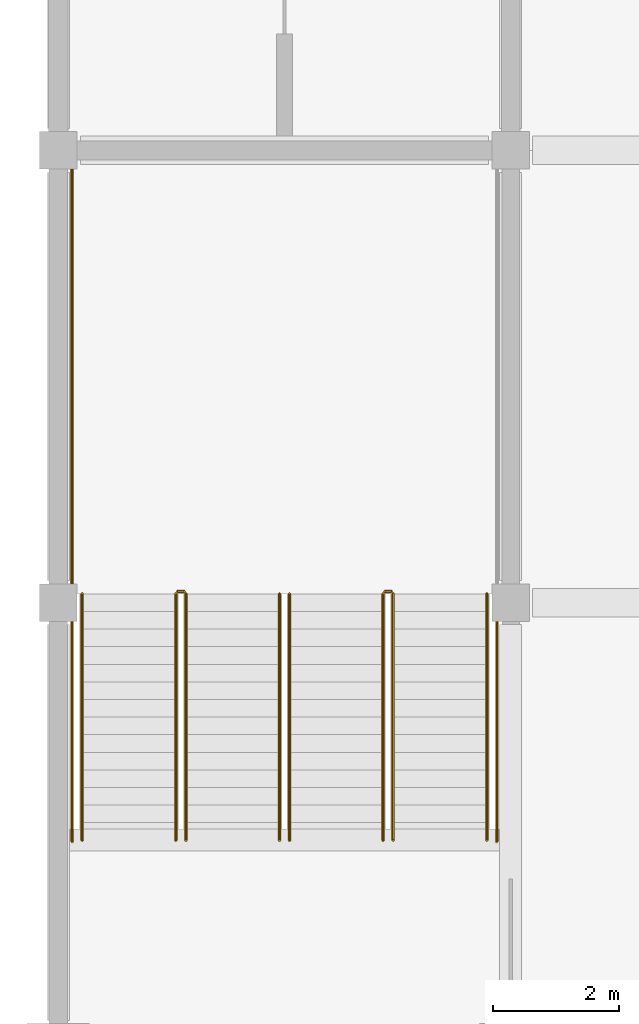
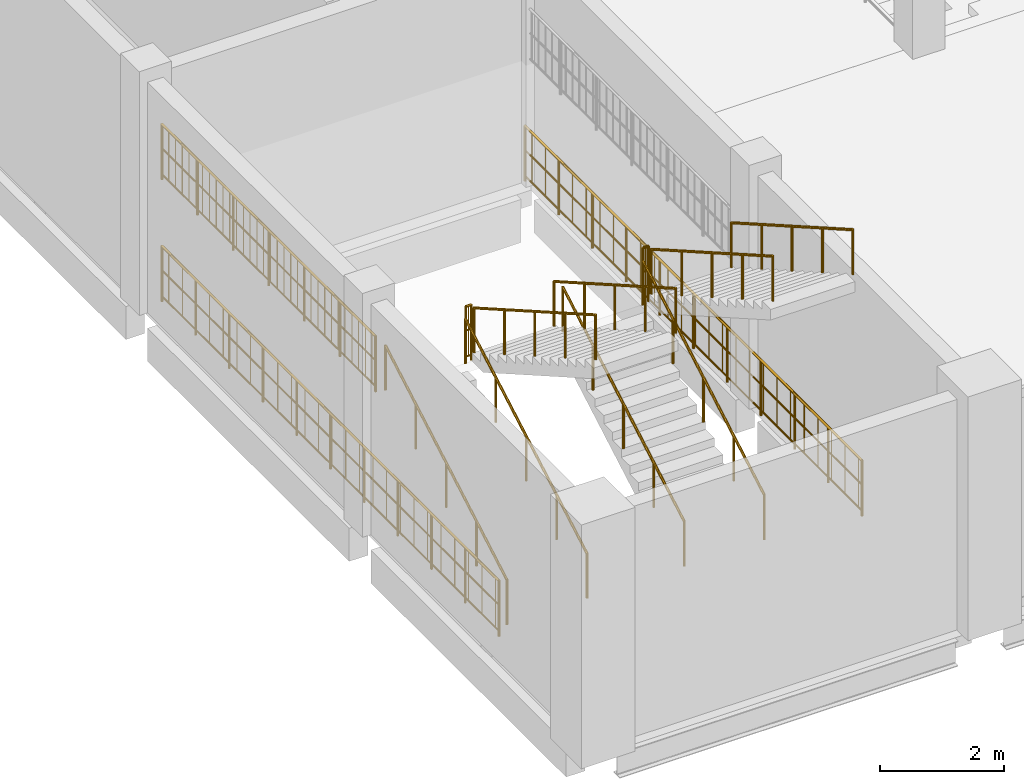
# One storey, part 79 of 99: 13 railings.
"""IFC4 building model written with IfcOpenShell, lengths in metres."""

from ifc_helpers import new_model, si_unit, direction, frame, origin, origin_2d, place, context, subcontext, project, spatial, circle, extrude, material, type_object, element, save


model = new_model("IFC4")

# Units and contexts
model_context = context("Model", 3, precision=1e-05, world=origin(), true_north=direction((0.0, 1.0)))
body_context = subcontext(model_context, "Body", "Model", "MODEL_VIEW")
ifc_project = project(units=[si_unit("LENGTHUNIT", "METRE"), si_unit("AREAUNIT", "SQUARE_METRE"), si_unit("VOLUMEUNIT", "CUBIC_METRE"), si_unit("PLANEANGLEUNIT", "RADIAN"), si_unit("MASSUNIT", "GRAM", prefix="KILO")], contexts=[model_context])

# Site, building, storey
site_placement = place(None, origin())
site = spatial("IfcSite", under=ifc_project, at=site_placement, CompositionType="ELEMENT")
building_placement = place(site_placement, origin())
building = spatial("IfcBuilding", under=site, at=building_placement, Name="Vesperath Aquatics Centre", CompositionType="ELEMENT")
storey_placement = place(building_placement, frame((0.0, 0.0, 5.39990234375)))
storey = spatial("IfcBuildingStorey", under=building, at=storey_placement, Name="L01", CompositionType="ELEMENT", Elevation=5.39990234375)

# Railings
ifc_material_1 = material(Name="Powder-coated galvanized steel safety guard", Category="steel")
railing_type_1 = type_object("IfcRailingType", Name="RL-GRD01", PredefinedType="GUARDRAIL", material=ifc_material_1)
railing_1_placement = place(storey_placement, frame((1.89990234375, 21.780029296875, 2.400146484375)))
element("IfcRailing", 1, at=railing_1_placement, inside=storey, type_object=railing_type_1, Name="Stair ST10A Half-Landing Slot Guard GR02 L01", PredefinedType="GUARDRAIL", context=body_context, shape_type="SweptSolid", body=[
    extrude(circle(Radius=0.02392578125, at=origin_2d()), frame((0.0, 0.0, 1.0859375), z_axis=(1.0, 0.0, 0.0), x_axis=(0.0, 1.0, 0.0)), (0.0, 0.0, 1.0), 0.10009765625),
    extrude(circle(Radius=0.01611328125, at=origin_2d()), frame((0.0, 0.0, 0.10009765625), z_axis=(1.0, 0.0, 0.0), x_axis=(0.0, 1.0, 0.0)), (0.0, 0.0, 1.0), 0.10009765625),
    extrude(circle(Radius=0.01611328125, at=origin_2d()), frame((0.0, 0.0, 0.610595703125), z_axis=(1.0, 0.0, 0.0), x_axis=(0.0, 1.0, 0.0)), (0.0, 0.0, 1.0), 0.10009765625),
    extrude(circle(Radius=0.009033203125, at=origin_2d()), frame((0.050048828125, 0.0, 0.10009765625)), (0.0, 0.0, 1.0), 0.9619140625),
    extrude(circle(Radius=0.02197265625, at=origin_2d()), origin(), (0.0, 0.0, 1.0), 1.0859375),
    extrude(circle(Radius=0.02197265625, at=origin_2d()), frame((0.10009765625, 0.0, 0.0)), (0.0, 0.0, 1.0), 1.0859375),
])
railing_2_placement = place(storey_placement, frame((0.219970703125, 21.780029296875, 2.400146484375)))
element("IfcRailing", 2, at=railing_2_placement, inside=storey, type_object=railing_type_1, Name="Stair ST10A Half-Landing Wall Guard GR02 L01", PredefinedType="GUARDRAIL", context=body_context, shape_type="SweptSolid", body=[
    extrude(circle(Radius=0.02392578125, at=origin_2d()), frame((0.0, 0.0, 1.0859375), z_axis=(0.0, 1.0, 0.0), x_axis=(-1.0, 0.0, 0.0)), (0.0, 0.0, 1.0), 6.889892578125),
    extrude(circle(Radius=0.01611328125, at=origin_2d()), frame((0.0, 0.0, 0.10009765625), z_axis=(0.0, 1.0, 0.0), x_axis=(-1.0, 0.0, 0.0)), (0.0, 0.0, 1.0), 6.889892578125),
    extrude(circle(Radius=0.01611328125, at=origin_2d()), frame((0.0, 0.0, 0.610595703125), z_axis=(0.0, 1.0, 0.0), x_axis=(-1.0, 0.0, 0.0)), (0.0, 0.0, 1.0), 6.889892578125),
    extrude(circle(Radius=0.009033203125, at=origin_2d()), frame((0.0, 0.109375, 0.10009765625)), (0.0, 0.0, 1.0), 0.9619140625),
    extrude(circle(Radius=0.009033203125, at=origin_2d()), frame((0.0, 0.328125, 0.10009765625)), (0.0, 0.0, 1.0), 0.9619140625),
    extrude(circle(Radius=0.009033203125, at=origin_2d()), frame((0.0, 0.546875, 0.10009765625)), (0.0, 0.0, 1.0), 0.9619140625),
    extrude(circle(Radius=0.009033203125, at=origin_2d()), frame((0.0, 0.765625, 0.10009765625)), (0.0, 0.0, 1.0), 0.9619140625),
    extrude(circle(Radius=0.009033203125, at=origin_2d()), frame((0.0, 0.984375, 0.10009765625)), (0.0, 0.0, 1.0), 0.9619140625),
    extrude(circle(Radius=0.009033203125, at=origin_2d()), frame((0.0, 1.202880859375, 0.10009765625)), (0.0, 0.0, 1.0), 0.9619140625),
    extrude(circle(Radius=0.009033203125, at=origin_2d()), frame((0.0, 1.421630859375, 0.10009765625)), (0.0, 0.0, 1.0), 0.9619140625),
    extrude(circle(Radius=0.009033203125, at=origin_2d()), frame((0.0, 1.640380859375, 0.10009765625)), (0.0, 0.0, 1.0), 0.9619140625),
    extrude(circle(Radius=0.009033203125, at=origin_2d()), frame((0.0, 1.859130859375, 0.10009765625)), (0.0, 0.0, 1.0), 0.9619140625),
    extrude(circle(Radius=0.009033203125, at=origin_2d()), frame((0.0, 2.077880859375, 0.10009765625)), (0.0, 0.0, 1.0), 0.9619140625),
    extrude(circle(Radius=0.009033203125, at=origin_2d()), frame((0.0, 2.296630859375, 0.10009765625)), (0.0, 0.0, 1.0), 0.9619140625),
    extrude(circle(Radius=0.009033203125, at=origin_2d()), frame((0.0, 2.515380859375, 0.10009765625)), (0.0, 0.0, 1.0), 0.9619140625),
    extrude(circle(Radius=0.009033203125, at=origin_2d()), frame((0.0, 2.734130859375, 0.10009765625)), (0.0, 0.0, 1.0), 0.9619140625),
    extrude(circle(Radius=0.009033203125, at=origin_2d()), frame((0.0, 2.952880859375, 0.10009765625)), (0.0, 0.0, 1.0), 0.9619140625),
    extrude(circle(Radius=0.009033203125, at=origin_2d()), frame((0.0, 3.171630859375, 0.10009765625)), (0.0, 0.0, 1.0), 0.9619140625),
    extrude(circle(Radius=0.009033203125, at=origin_2d()), frame((0.0, 3.390380859375, 0.10009765625)), (0.0, 0.0, 1.0), 0.9619140625),
    extrude(circle(Radius=0.009033203125, at=origin_2d()), frame((0.0, 3.60888671875, 0.10009765625)), (0.0, 0.0, 1.0), 0.9619140625),
    extrude(circle(Radius=0.009033203125, at=origin_2d()), frame((0.0, 3.82763671875, 0.10009765625)), (0.0, 0.0, 1.0), 0.9619140625),
    extrude(circle(Radius=0.009033203125, at=origin_2d()), frame((0.0, 4.04638671875, 0.10009765625)), (0.0, 0.0, 1.0), 0.9619140625),
    extrude(circle(Radius=0.009033203125, at=origin_2d()), frame((0.0, 4.26513671875, 0.10009765625)), (0.0, 0.0, 1.0), 0.9619140625),
    extrude(circle(Radius=0.009033203125, at=origin_2d()), frame((0.0, 4.48388671875, 0.10009765625)), (0.0, 0.0, 1.0), 0.9619140625),
    extrude(circle(Radius=0.009033203125, at=origin_2d()), frame((0.0, 4.70263671875, 0.10009765625)), (0.0, 0.0, 1.0), 0.9619140625),
    extrude(circle(Radius=0.009033203125, at=origin_2d()), frame((0.0, 4.92138671875, 0.10009765625)), (0.0, 0.0, 1.0), 0.9619140625),
    extrude(circle(Radius=0.009033203125, at=origin_2d()), frame((0.0, 5.14013671875, 0.10009765625)), (0.0, 0.0, 1.0), 0.9619140625),
    extrude(circle(Radius=0.009033203125, at=origin_2d()), frame((0.0, 5.35888671875, 0.10009765625)), (0.0, 0.0, 1.0), 0.9619140625),
    extrude(circle(Radius=0.009033203125, at=origin_2d()), frame((0.0, 5.57763671875, 0.10009765625)), (0.0, 0.0, 1.0), 0.9619140625),
    extrude(circle(Radius=0.009033203125, at=origin_2d()), frame((0.0, 5.796142578125, 0.10009765625)), (0.0, 0.0, 1.0), 0.9619140625),
    extrude(circle(Radius=0.009033203125, at=origin_2d()), frame((0.0, 6.014892578125, 0.10009765625)), (0.0, 0.0, 1.0), 0.9619140625),
    extrude(circle(Radius=0.009033203125, at=origin_2d()), frame((0.0, 6.233642578125, 0.10009765625)), (0.0, 0.0, 1.0), 0.9619140625),
    extrude(circle(Radius=0.009033203125, at=origin_2d()), frame((0.0, 6.452392578125, 0.10009765625)), (0.0, 0.0, 1.0), 0.9619140625),
    extrude(circle(Radius=0.009033203125, at=origin_2d()), frame((0.0, 6.671142578125, 0.10009765625)), (0.0, 0.0, 1.0), 0.9619140625),
    extrude(circle(Radius=0.02197265625, at=origin_2d()), origin(), (0.0, 0.0, 1.0), 1.0859375),
    extrude(circle(Radius=0.02197265625, at=origin_2d()), frame((0.0, 1.1484375, 0.0)), (0.0, 0.0, 1.0), 1.0859375),
    extrude(circle(Radius=0.02197265625, at=origin_2d()), frame((0.0, 2.296630859375, 0.0)), (0.0, 0.0, 1.0), 1.0859375),
    extrude(circle(Radius=0.02197265625, at=origin_2d()), frame((0.0, 3.44482421875, 0.0)), (0.0, 0.0, 1.0), 1.0859375),
    extrude(circle(Radius=0.02197265625, at=origin_2d()), frame((0.0, 4.59326171875, 0.0)), (0.0, 0.0, 1.0), 1.0859375),
    extrude(circle(Radius=0.02197265625, at=origin_2d()), frame((0.0, 5.74169921875, 0.0)), (0.0, 0.0, 1.0), 1.0859375),
    extrude(circle(Radius=0.02197265625, at=origin_2d()), frame((0.0, 6.889892578125, 0.0)), (0.0, 0.0, 1.0), 1.0859375),
])
railing_3_placement = place(storey_placement, frame((0.219970703125, 17.800048828125, 0.0)))
element("IfcRailing", 3, at=railing_3_placement, inside=storey, type_object=railing_type_1, Name="Stair ST10A Shaft Side Guard GR02 L01", PredefinedType="GUARDRAIL", context=body_context, shape_type="SweptSolid", body=[
    extrude(circle(Radius=0.02392578125, at=origin_2d()), frame((0.0, 0.0, 1.0859375), z_axis=(0.0, 1.0, 0.0), x_axis=(-1.0, 0.0, 0.0)), (0.0, 0.0, 1.0), 10.869873046875),
    extrude(circle(Radius=0.01611328125, at=origin_2d()), frame((0.0, 0.0, 0.10009765625), z_axis=(0.0, 1.0, 0.0), x_axis=(-1.0, 0.0, 0.0)), (0.0, 0.0, 1.0), 10.869873046875),
    extrude(circle(Radius=0.01611328125, at=origin_2d()), frame((0.0, 0.0, 0.610595703125), z_axis=(0.0, 1.0, 0.0), x_axis=(-1.0, 0.0, 0.0)), (0.0, 0.0, 1.0), 10.869873046875),
    extrude(circle(Radius=0.009033203125, at=origin_2d()), frame((0.0, 0.10986328125, 0.10009765625)), (0.0, 0.0, 1.0), 0.9619140625),
    extrude(circle(Radius=0.009033203125, at=origin_2d()), frame((0.0, 0.549072265625, 0.10009765625)), (0.0, 0.0, 1.0), 0.9619140625),
    extrude(circle(Radius=0.009033203125, at=origin_2d()), frame((0.0, 0.98828125, 0.10009765625)), (0.0, 0.0, 1.0), 0.9619140625),
    extrude(circle(Radius=0.009033203125, at=origin_2d()), frame((0.0, 1.42724609375, 0.10009765625)), (0.0, 0.0, 1.0), 0.9619140625),
    extrude(circle(Radius=0.009033203125, at=origin_2d()), frame((0.0, 1.866455078125, 0.10009765625)), (0.0, 0.0, 1.0), 0.9619140625),
    extrude(circle(Radius=0.009033203125, at=origin_2d()), frame((0.0, 2.3056640625, 0.10009765625)), (0.0, 0.0, 1.0), 0.9619140625),
    extrude(circle(Radius=0.009033203125, at=origin_2d()), frame((0.0, 2.744873046875, 0.10009765625)), (0.0, 0.0, 1.0), 0.9619140625),
    extrude(circle(Radius=0.009033203125, at=origin_2d()), frame((0.0, 3.18408203125, 0.10009765625)), (0.0, 0.0, 1.0), 0.9619140625),
    extrude(circle(Radius=0.009033203125, at=origin_2d()), frame((0.0, 3.623291015625, 0.10009765625)), (0.0, 0.0, 1.0), 0.9619140625),
    extrude(circle(Radius=0.009033203125, at=origin_2d()), frame((0.0, 4.0625, 0.10009765625)), (0.0, 0.0, 1.0), 0.9619140625),
    extrude(circle(Radius=0.009033203125, at=origin_2d()), frame((0.0, 4.501708984375, 0.10009765625)), (0.0, 0.0, 1.0), 0.9619140625),
    extrude(circle(Radius=0.009033203125, at=origin_2d()), frame((0.0, 4.94091796875, 0.10009765625)), (0.0, 0.0, 1.0), 0.9619140625),
    extrude(circle(Radius=0.009033203125, at=origin_2d()), frame((0.0, 5.380126953125, 0.10009765625)), (0.0, 0.0, 1.0), 0.9619140625),
    extrude(circle(Radius=0.009033203125, at=origin_2d()), frame((0.0, 5.8193359375, 0.10009765625)), (0.0, 0.0, 1.0), 0.9619140625),
    extrude(circle(Radius=0.009033203125, at=origin_2d()), frame((0.0, 6.25830078125, 0.10009765625)), (0.0, 0.0, 1.0), 0.9619140625),
    extrude(circle(Radius=0.009033203125, at=origin_2d()), frame((0.0, 6.697509765625, 0.10009765625)), (0.0, 0.0, 1.0), 0.9619140625),
    extrude(circle(Radius=0.009033203125, at=origin_2d()), frame((0.0, 7.13671875, 0.10009765625)), (0.0, 0.0, 1.0), 0.9619140625),
    extrude(circle(Radius=0.009033203125, at=origin_2d()), frame((0.0, 7.575927734375, 0.10009765625)), (0.0, 0.0, 1.0), 0.9619140625),
    extrude(circle(Radius=0.009033203125, at=origin_2d()), frame((0.0, 8.01513671875, 0.10009765625)), (0.0, 0.0, 1.0), 0.9619140625),
    extrude(circle(Radius=0.009033203125, at=origin_2d()), frame((0.0, 8.454345703125, 0.10009765625)), (0.0, 0.0, 1.0), 0.9619140625),
    extrude(circle(Radius=0.009033203125, at=origin_2d()), frame((0.0, 8.8935546875, 0.10009765625)), (0.0, 0.0, 1.0), 0.9619140625),
    extrude(circle(Radius=0.009033203125, at=origin_2d()), frame((0.0, 9.332763671875, 0.10009765625)), (0.0, 0.0, 1.0), 0.9619140625),
    extrude(circle(Radius=0.009033203125, at=origin_2d()), frame((0.0, 9.77197265625, 0.10009765625)), (0.0, 0.0, 1.0), 0.9619140625),
    extrude(circle(Radius=0.009033203125, at=origin_2d()), frame((0.0, 10.211181640625, 0.10009765625)), (0.0, 0.0, 1.0), 0.9619140625),
    extrude(circle(Radius=0.009033203125, at=origin_2d()), frame((0.0, 10.650390625, 0.10009765625)), (0.0, 0.0, 1.0), 0.9619140625),
    extrude(circle(Radius=0.02197265625, at=origin_2d()), origin(), (0.0, 0.0, 1.0), 1.0859375),
    extrude(circle(Radius=0.02197265625, at=origin_2d()), frame((0.0, 1.0869140625, 0.0)), (0.0, 0.0, 1.0), 1.0859375),
    extrude(circle(Radius=0.02197265625, at=origin_2d()), frame((0.0, 2.174072265625, 0.0)), (0.0, 0.0, 1.0), 1.0859375),
    extrude(circle(Radius=0.02197265625, at=origin_2d()), frame((0.0, 3.260986328125, 0.0)), (0.0, 0.0, 1.0), 1.0859375),
    extrude(circle(Radius=0.02197265625, at=origin_2d()), frame((0.0, 4.347900390625, 0.0)), (0.0, 0.0, 1.0), 1.0859375),
    extrude(circle(Radius=0.02197265625, at=origin_2d()), frame((0.0, 5.43505859375, 0.0)), (0.0, 0.0, 1.0), 1.0859375),
    extrude(circle(Radius=0.02197265625, at=origin_2d()), frame((0.0, 6.52197265625, 0.0)), (0.0, 0.0, 1.0), 1.0859375),
    extrude(circle(Radius=0.02197265625, at=origin_2d()), frame((0.0, 7.60888671875, 0.0)), (0.0, 0.0, 1.0), 1.0859375),
    extrude(circle(Radius=0.02197265625, at=origin_2d()), frame((0.0, 8.69580078125, 0.0)), (0.0, 0.0, 1.0), 1.0859375),
    extrude(circle(Radius=0.02197265625, at=origin_2d()), frame((0.0, 9.782958984375, 0.0)), (0.0, 0.0, 1.0), 1.0859375),
    extrude(circle(Radius=0.02197265625, at=origin_2d()), frame((0.0, 10.869873046875, 0.0)), (0.0, 0.0, 1.0), 1.0859375),
])
railing_4_placement = place(storey_placement, frame((5.199951171875, 21.780029296875, 2.400146484375)))
element("IfcRailing", 4, at=railing_4_placement, inside=storey, type_object=railing_type_1, Name="Stair ST10B Half-Landing Slot Guard GR02 L01", PredefinedType="GUARDRAIL", context=body_context, shape_type="SweptSolid", body=[
    extrude(circle(Radius=0.02392578125, at=origin_2d()), frame((0.0, 0.0, 1.0859375), z_axis=(1.0, 0.0, 0.0), x_axis=(0.0, 1.0, 0.0)), (0.0, 0.0, 1.0), 0.10009765625),
    extrude(circle(Radius=0.01611328125, at=origin_2d()), frame((0.0, 0.0, 0.10009765625), z_axis=(1.0, 0.0, 0.0), x_axis=(0.0, 1.0, 0.0)), (0.0, 0.0, 1.0), 0.10009765625),
    extrude(circle(Radius=0.01611328125, at=origin_2d()), frame((0.0, 0.0, 0.610595703125), z_axis=(1.0, 0.0, 0.0), x_axis=(0.0, 1.0, 0.0)), (0.0, 0.0, 1.0), 0.10009765625),
    extrude(circle(Radius=0.009033203125, at=origin_2d()), frame((0.050048828125, 0.0, 0.10009765625)), (0.0, 0.0, 1.0), 0.9619140625),
    extrude(circle(Radius=0.02197265625, at=origin_2d()), origin(), (0.0, 0.0, 1.0), 1.0859375),
    extrude(circle(Radius=0.02197265625, at=origin_2d()), frame((0.10009765625, 0.0, 0.0)), (0.0, 0.0, 1.0), 1.0859375),
])
railing_5_placement = place(storey_placement, frame((6.97998046875, 17.800048828125, 0.0)))
element("IfcRailing", 5, at=railing_5_placement, inside=storey, type_object=railing_type_1, Name="Stair ST10B Shaft Side Guard GR02 L01", PredefinedType="GUARDRAIL", context=body_context, shape_type="SweptSolid", body=[
    extrude(circle(Radius=0.02392578125, at=origin_2d()), frame((0.0, 0.0, 1.0859375), z_axis=(0.0, 1.0, 0.0), x_axis=(-1.0, 0.0, 0.0)), (0.0, 0.0, 1.0), 10.869873046875),
    extrude(circle(Radius=0.01611328125, at=origin_2d()), frame((0.0, 0.0, 0.10009765625), z_axis=(0.0, 1.0, 0.0), x_axis=(-1.0, 0.0, 0.0)), (0.0, 0.0, 1.0), 10.869873046875),
    extrude(circle(Radius=0.01611328125, at=origin_2d()), frame((0.0, 0.0, 0.610595703125), z_axis=(0.0, 1.0, 0.0), x_axis=(-1.0, 0.0, 0.0)), (0.0, 0.0, 1.0), 10.869873046875),
    extrude(circle(Radius=0.009033203125, at=origin_2d()), frame((0.0, 0.10986328125, 0.10009765625)), (0.0, 0.0, 1.0), 0.9619140625),
    extrude(circle(Radius=0.009033203125, at=origin_2d()), frame((0.0, 0.549072265625, 0.10009765625)), (0.0, 0.0, 1.0), 0.9619140625),
    extrude(circle(Radius=0.009033203125, at=origin_2d()), frame((0.0, 0.98828125, 0.10009765625)), (0.0, 0.0, 1.0), 0.9619140625),
    extrude(circle(Radius=0.009033203125, at=origin_2d()), frame((0.0, 1.42724609375, 0.10009765625)), (0.0, 0.0, 1.0), 0.9619140625),
    extrude(circle(Radius=0.009033203125, at=origin_2d()), frame((0.0, 1.866455078125, 0.10009765625)), (0.0, 0.0, 1.0), 0.9619140625),
    extrude(circle(Radius=0.009033203125, at=origin_2d()), frame((0.0, 2.3056640625, 0.10009765625)), (0.0, 0.0, 1.0), 0.9619140625),
    extrude(circle(Radius=0.009033203125, at=origin_2d()), frame((0.0, 2.744873046875, 0.10009765625)), (0.0, 0.0, 1.0), 0.9619140625),
    extrude(circle(Radius=0.009033203125, at=origin_2d()), frame((0.0, 3.18408203125, 0.10009765625)), (0.0, 0.0, 1.0), 0.9619140625),
    extrude(circle(Radius=0.009033203125, at=origin_2d()), frame((0.0, 3.623291015625, 0.10009765625)), (0.0, 0.0, 1.0), 0.9619140625),
    extrude(circle(Radius=0.009033203125, at=origin_2d()), frame((0.0, 4.0625, 0.10009765625)), (0.0, 0.0, 1.0), 0.9619140625),
    extrude(circle(Radius=0.009033203125, at=origin_2d()), frame((0.0, 4.501708984375, 0.10009765625)), (0.0, 0.0, 1.0), 0.9619140625),
    extrude(circle(Radius=0.009033203125, at=origin_2d()), frame((0.0, 4.94091796875, 0.10009765625)), (0.0, 0.0, 1.0), 0.9619140625),
    extrude(circle(Radius=0.009033203125, at=origin_2d()), frame((0.0, 5.380126953125, 0.10009765625)), (0.0, 0.0, 1.0), 0.9619140625),
    extrude(circle(Radius=0.009033203125, at=origin_2d()), frame((0.0, 5.8193359375, 0.10009765625)), (0.0, 0.0, 1.0), 0.9619140625),
    extrude(circle(Radius=0.009033203125, at=origin_2d()), frame((0.0, 6.25830078125, 0.10009765625)), (0.0, 0.0, 1.0), 0.9619140625),
    extrude(circle(Radius=0.009033203125, at=origin_2d()), frame((0.0, 6.697509765625, 0.10009765625)), (0.0, 0.0, 1.0), 0.9619140625),
    extrude(circle(Radius=0.009033203125, at=origin_2d()), frame((0.0, 7.13671875, 0.10009765625)), (0.0, 0.0, 1.0), 0.9619140625),
    extrude(circle(Radius=0.009033203125, at=origin_2d()), frame((0.0, 7.575927734375, 0.10009765625)), (0.0, 0.0, 1.0), 0.9619140625),
    extrude(circle(Radius=0.009033203125, at=origin_2d()), frame((0.0, 8.01513671875, 0.10009765625)), (0.0, 0.0, 1.0), 0.9619140625),
    extrude(circle(Radius=0.009033203125, at=origin_2d()), frame((0.0, 8.454345703125, 0.10009765625)), (0.0, 0.0, 1.0), 0.9619140625),
    extrude(circle(Radius=0.009033203125, at=origin_2d()), frame((0.0, 8.8935546875, 0.10009765625)), (0.0, 0.0, 1.0), 0.9619140625),
    extrude(circle(Radius=0.009033203125, at=origin_2d()), frame((0.0, 9.332763671875, 0.10009765625)), (0.0, 0.0, 1.0), 0.9619140625),
    extrude(circle(Radius=0.009033203125, at=origin_2d()), frame((0.0, 9.77197265625, 0.10009765625)), (0.0, 0.0, 1.0), 0.9619140625),
    extrude(circle(Radius=0.009033203125, at=origin_2d()), frame((0.0, 10.211181640625, 0.10009765625)), (0.0, 0.0, 1.0), 0.9619140625),
    extrude(circle(Radius=0.009033203125, at=origin_2d()), frame((0.0, 10.650390625, 0.10009765625)), (0.0, 0.0, 1.0), 0.9619140625),
    extrude(circle(Radius=0.02197265625, at=origin_2d()), origin(), (0.0, 0.0, 1.0), 1.0859375),
    extrude(circle(Radius=0.02197265625, at=origin_2d()), frame((0.0, 1.0869140625, 0.0)), (0.0, 0.0, 1.0), 1.0859375),
    extrude(circle(Radius=0.02197265625, at=origin_2d()), frame((0.0, 2.174072265625, 0.0)), (0.0, 0.0, 1.0), 1.0859375),
    extrude(circle(Radius=0.02197265625, at=origin_2d()), frame((0.0, 3.260986328125, 0.0)), (0.0, 0.0, 1.0), 1.0859375),
    extrude(circle(Radius=0.02197265625, at=origin_2d()), frame((0.0, 4.347900390625, 0.0)), (0.0, 0.0, 1.0), 1.0859375),
    extrude(circle(Radius=0.02197265625, at=origin_2d()), frame((0.0, 5.43505859375, 0.0)), (0.0, 0.0, 1.0), 1.0859375),
    extrude(circle(Radius=0.02197265625, at=origin_2d()), frame((0.0, 6.52197265625, 0.0)), (0.0, 0.0, 1.0), 1.0859375),
    extrude(circle(Radius=0.02197265625, at=origin_2d()), frame((0.0, 7.60888671875, 0.0)), (0.0, 0.0, 1.0), 1.0859375),
    extrude(circle(Radius=0.02197265625, at=origin_2d()), frame((0.0, 8.69580078125, 0.0)), (0.0, 0.0, 1.0), 1.0859375),
    extrude(circle(Radius=0.02197265625, at=origin_2d()), frame((0.0, 9.782958984375, 0.0)), (0.0, 0.0, 1.0), 1.0859375),
    extrude(circle(Radius=0.02197265625, at=origin_2d()), frame((0.0, 10.869873046875, 0.0)), (0.0, 0.0, 1.0), 1.0859375),
])
ifc_material_2 = material(Name="Brushed stainless steel tubular handrail", Category="steel")
railing_type_2 = type_object("IfcRailingType", Name="RL-HND01", PredefinedType="HANDRAIL", material=ifc_material_2)
railing_6_placement = place(storey_placement, frame((1.8701171875, 17.820068359375, 0.16015625)))
element("IfcRailing", 6, at=railing_6_placement, inside=storey, type_object=railing_type_2, Name="Stair ST10A Flight 1 Handrail HR01 L01", PredefinedType="HANDRAIL", context=body_context, shape_type="SweptSolid", body=[
    extrude(circle(Radius=0.02392578125, at=origin_2d()), frame((0.0, 0.0, 0.8759765625), z_axis=(0.0, 0.868239814368, 0.496144761885), x_axis=(-1.0, 0.0, 0.0)), (0.0, 0.0, 1.0), 4.514892578125),
    extrude(circle(Radius=0.02197265625, at=origin_2d()), origin(), (0.0, 0.0, 1.0), 0.8759765625),
    extrude(circle(Radius=0.02197265625, at=origin_2d()), frame((0.0, 0.97998046875, 0.56005859375)), (0.0, 0.0, 1.0), 0.8759765625),
    extrude(circle(Radius=0.02197265625, at=origin_2d()), frame((0.0, 1.9599609375, 1.1201171875)), (0.0, 0.0, 1.0), 0.8759765625),
    extrude(circle(Radius=0.02197265625, at=origin_2d()), frame((0.0, 2.93994140625, 1.679931640625)), (0.0, 0.0, 1.0), 0.8759765625),
    extrude(circle(Radius=0.02197265625, at=origin_2d()), frame((0.0, 3.919921875, 2.239990234375)), (0.0, 0.0, 1.0), 0.8759765625),
])
railing_7_placement = place(storey_placement, frame((2.030029296875, 21.739990234375, 2.56005859375)))
element("IfcRailing", 7, at=railing_7_placement, inside=storey, type_object=railing_type_2, Name="Stair ST10A Flight 2 Handrail HR01 L01", PredefinedType="HANDRAIL", context=body_context, shape_type="SweptSolid", body=[
    extrude(circle(Radius=0.02392578125, at=origin_2d()), frame((0.0, 0.0, 0.8759765625), z_axis=(0.0, -0.868239814368, 0.496144761885), x_axis=(1.0, 0.0, 0.0)), (0.0, 0.0, 1.0), 4.514892578125),
    extrude(circle(Radius=0.02197265625, at=origin_2d()), origin(), (0.0, 0.0, 1.0), 0.8759765625),
    extrude(circle(Radius=0.02197265625, at=origin_2d()), frame((0.0, -0.97998046875, 0.56005859375)), (0.0, 0.0, 1.0), 0.8759765625),
    extrude(circle(Radius=0.02197265625, at=origin_2d()), frame((0.0, -1.9599609375, 1.1201171875)), (0.0, 0.0, 1.0), 0.8759765625),
    extrude(circle(Radius=0.02197265625, at=origin_2d()), frame((0.0, -2.93994140625, 1.679931640625)), (0.0, 0.0, 1.0), 0.8759765625),
    extrude(circle(Radius=0.02197265625, at=origin_2d()), frame((0.0, -3.919921875, 2.239990234375)), (0.0, 0.0, 1.0), 0.8759765625),
])
railing_8_placement = place(storey_placement, frame((0.3798828125, 17.820068359375, 0.16015625)))
element("IfcRailing", 8, at=railing_8_placement, inside=storey, type_object=railing_type_2, Name="Stair ST10A Flight 1 Handrail HR01 L01", PredefinedType="HANDRAIL", context=body_context, shape_type="SweptSolid", body=[
    extrude(circle(Radius=0.02392578125, at=origin_2d()), frame((0.0, 0.0, 0.8759765625), z_axis=(0.0, 0.868239814368, 0.496144761885), x_axis=(-1.0, 0.0, 0.0)), (0.0, 0.0, 1.0), 4.514892578125),
    extrude(circle(Radius=0.02197265625, at=origin_2d()), origin(), (0.0, 0.0, 1.0), 0.8759765625),
    extrude(circle(Radius=0.02197265625, at=origin_2d()), frame((0.0, 0.97998046875, 0.56005859375)), (0.0, 0.0, 1.0), 0.8759765625),
    extrude(circle(Radius=0.02197265625, at=origin_2d()), frame((0.0, 1.9599609375, 1.1201171875)), (0.0, 0.0, 1.0), 0.8759765625),
    extrude(circle(Radius=0.02197265625, at=origin_2d()), frame((0.0, 2.93994140625, 1.679931640625)), (0.0, 0.0, 1.0), 0.8759765625),
    extrude(circle(Radius=0.02197265625, at=origin_2d()), frame((0.0, 3.919921875, 2.239990234375)), (0.0, 0.0, 1.0), 0.8759765625),
])
railing_9_placement = place(storey_placement, frame((3.52001953125, 21.739990234375, 2.56005859375)))
element("IfcRailing", 9, at=railing_9_placement, inside=storey, type_object=railing_type_2, Name="Stair ST10A Flight 2 Handrail HR01 L01", PredefinedType="HANDRAIL", context=body_context, shape_type="SweptSolid", body=[
    extrude(circle(Radius=0.02392578125, at=origin_2d()), frame((0.0, 0.0, 0.8759765625), z_axis=(0.0, -0.868239814368, 0.496144761885), x_axis=(1.0, 0.0, 0.0)), (0.0, 0.0, 1.0), 4.514892578125),
    extrude(circle(Radius=0.02197265625, at=origin_2d()), origin(), (0.0, 0.0, 1.0), 0.8759765625),
    extrude(circle(Radius=0.02197265625, at=origin_2d()), frame((0.0, -0.97998046875, 0.56005859375)), (0.0, 0.0, 1.0), 0.8759765625),
    extrude(circle(Radius=0.02197265625, at=origin_2d()), frame((0.0, -1.9599609375, 1.1201171875)), (0.0, 0.0, 1.0), 0.8759765625),
    extrude(circle(Radius=0.02197265625, at=origin_2d()), frame((0.0, -2.93994140625, 1.679931640625)), (0.0, 0.0, 1.0), 0.8759765625),
    extrude(circle(Radius=0.02197265625, at=origin_2d()), frame((0.0, -3.919921875, 2.239990234375)), (0.0, 0.0, 1.0), 0.8759765625),
])
railing_10_placement = place(storey_placement, frame((5.169921875, 17.820068359375, 0.16015625)))
element("IfcRailing", 10, at=railing_10_placement, inside=storey, type_object=railing_type_2, Name="Stair ST10B Flight 1 Handrail HR01 L01", PredefinedType="HANDRAIL", context=body_context, shape_type="SweptSolid", body=[
    extrude(circle(Radius=0.02392578125, at=origin_2d()), frame((0.0, 0.0, 0.8759765625), z_axis=(0.0, 0.868239814368, 0.496144761885), x_axis=(-1.0, 0.0, 0.0)), (0.0, 0.0, 1.0), 4.514892578125),
    extrude(circle(Radius=0.02197265625, at=origin_2d()), origin(), (0.0, 0.0, 1.0), 0.8759765625),
    extrude(circle(Radius=0.02197265625, at=origin_2d()), frame((0.0, 0.97998046875, 0.56005859375)), (0.0, 0.0, 1.0), 0.8759765625),
    extrude(circle(Radius=0.02197265625, at=origin_2d()), frame((0.0, 1.9599609375, 1.1201171875)), (0.0, 0.0, 1.0), 0.8759765625),
    extrude(circle(Radius=0.02197265625, at=origin_2d()), frame((0.0, 2.93994140625, 1.679931640625)), (0.0, 0.0, 1.0), 0.8759765625),
    extrude(circle(Radius=0.02197265625, at=origin_2d()), frame((0.0, 3.919921875, 2.239990234375)), (0.0, 0.0, 1.0), 0.8759765625),
])
railing_11_placement = place(storey_placement, frame((5.330078125, 21.739990234375, 2.56005859375)))
element("IfcRailing", 11, at=railing_11_placement, inside=storey, type_object=railing_type_2, Name="Stair ST10B Flight 2 Handrail HR01 L01", PredefinedType="HANDRAIL", context=body_context, shape_type="SweptSolid", body=[
    extrude(circle(Radius=0.02392578125, at=origin_2d()), frame((0.0, 0.0, 0.8759765625), z_axis=(0.0, -0.868239814368, 0.496144761885), x_axis=(1.0, 0.0, 0.0)), (0.0, 0.0, 1.0), 4.514892578125),
    extrude(circle(Radius=0.02197265625, at=origin_2d()), origin(), (0.0, 0.0, 1.0), 0.8759765625),
    extrude(circle(Radius=0.02197265625, at=origin_2d()), frame((0.0, -0.97998046875, 0.56005859375)), (0.0, 0.0, 1.0), 0.8759765625),
    extrude(circle(Radius=0.02197265625, at=origin_2d()), frame((0.0, -1.9599609375, 1.1201171875)), (0.0, 0.0, 1.0), 0.8759765625),
    extrude(circle(Radius=0.02197265625, at=origin_2d()), frame((0.0, -2.93994140625, 1.679931640625)), (0.0, 0.0, 1.0), 0.8759765625),
    extrude(circle(Radius=0.02197265625, at=origin_2d()), frame((0.0, -3.919921875, 2.239990234375)), (0.0, 0.0, 1.0), 0.8759765625),
])
railing_12_placement = place(storey_placement, frame((3.679931640625, 17.820068359375, 0.16015625)))
element("IfcRailing", 12, at=railing_12_placement, inside=storey, type_object=railing_type_2, Name="Stair ST10B Flight 1 Handrail HR01 L01", PredefinedType="HANDRAIL", context=body_context, shape_type="SweptSolid", body=[
    extrude(circle(Radius=0.02392578125, at=origin_2d()), frame((0.0, 0.0, 0.8759765625), z_axis=(0.0, 0.868239814368, 0.496144761885), x_axis=(-1.0, 0.0, 0.0)), (0.0, 0.0, 1.0), 4.514892578125),
    extrude(circle(Radius=0.02197265625, at=origin_2d()), origin(), (0.0, 0.0, 1.0), 0.8759765625),
    extrude(circle(Radius=0.02197265625, at=origin_2d()), frame((0.0, 0.97998046875, 0.56005859375)), (0.0, 0.0, 1.0), 0.8759765625),
    extrude(circle(Radius=0.02197265625, at=origin_2d()), frame((0.0, 1.9599609375, 1.1201171875)), (0.0, 0.0, 1.0), 0.8759765625),
    extrude(circle(Radius=0.02197265625, at=origin_2d()), frame((0.0, 2.93994140625, 1.679931640625)), (0.0, 0.0, 1.0), 0.8759765625),
    extrude(circle(Radius=0.02197265625, at=origin_2d()), frame((0.0, 3.919921875, 2.239990234375)), (0.0, 0.0, 1.0), 0.8759765625),
])
railing_13_placement = place(storey_placement, frame((6.820068359375, 21.739990234375, 2.56005859375)))
element("IfcRailing", 13, at=railing_13_placement, inside=storey, type_object=railing_type_2, Name="Stair ST10B Flight 2 Handrail HR01 L01", PredefinedType="HANDRAIL", context=body_context, shape_type="SweptSolid", body=[
    extrude(circle(Radius=0.02392578125, at=origin_2d()), frame((0.0, 0.0, 0.8759765625), z_axis=(0.0, -0.868239814368, 0.496144761885), x_axis=(1.0, 0.0, 0.0)), (0.0, 0.0, 1.0), 4.514892578125),
    extrude(circle(Radius=0.02197265625, at=origin_2d()), origin(), (0.0, 0.0, 1.0), 0.8759765625),
    extrude(circle(Radius=0.02197265625, at=origin_2d()), frame((0.0, -0.97998046875, 0.56005859375)), (0.0, 0.0, 1.0), 0.8759765625),
    extrude(circle(Radius=0.02197265625, at=origin_2d()), frame((0.0, -1.9599609375, 1.1201171875)), (0.0, 0.0, 1.0), 0.8759765625),
    extrude(circle(Radius=0.02197265625, at=origin_2d()), frame((0.0, -2.93994140625, 1.679931640625)), (0.0, 0.0, 1.0), 0.8759765625),
    extrude(circle(Radius=0.02197265625, at=origin_2d()), frame((0.0, -3.919921875, 2.239990234375)), (0.0, 0.0, 1.0), 0.8759765625),
])

save(model, "model.ifc")
